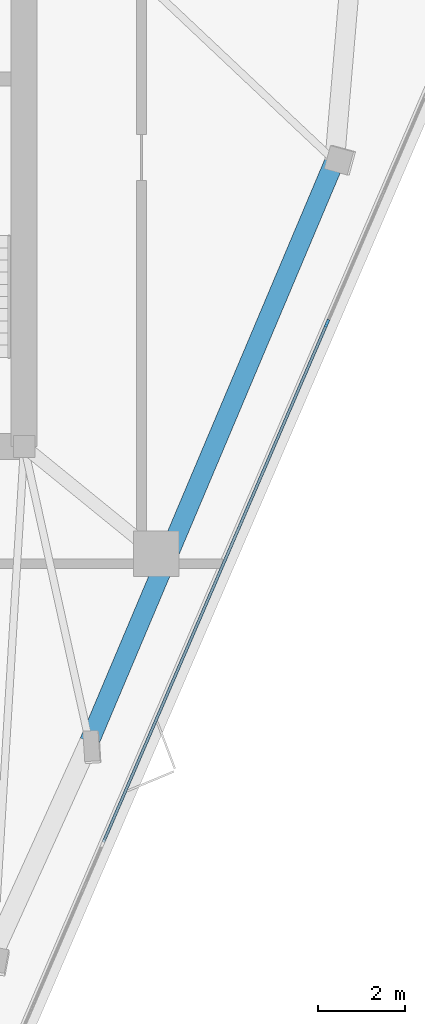
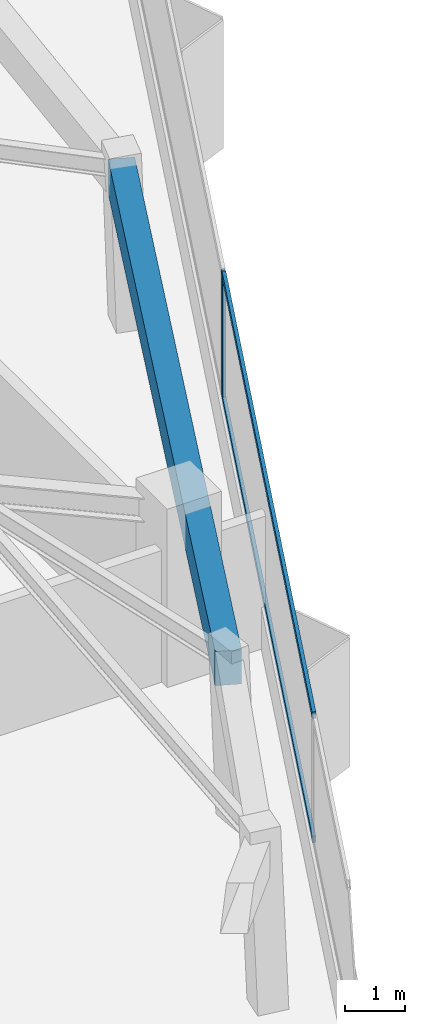
# One storey, part 3 of 9: 3 members, 1 beam, 1 element without a shape of its own.
"""IFC4 building model written with IfcOpenShell, lengths in metres."""

import ifcopenshell
import ifcopenshell.guid

model = None  # the IFC model being written
_history = None  # IfcOwnerHistory: only IFC2X3 demands one
_inside = {}  # id of a spatial element -> (the spatial element, [elements in it])
_under = {}  # id of a project, library or spatial element -> (it, [spatial elements below it])
_declared = {}  # id of a project -> (the project, [libraries it declares])
_typed = {}  # id of a type object -> (the type object, [elements of that type])
_made_of = {}  # id of a material, layer set ... -> (it, [elements and type objects made of it])


def new_model(schema):
    """Start an empty IFC model of exactly this schema.

    Asked for "IFC4X3", IfcOpenShell would pick the latest addendum, in which some entities
    have other attributes; the version numbers below select the first issue.
    IFC2X3 requires an IfcOwnerHistory on every rooted entity: one is made here for all.
    """
    global model, _history
    if schema == "IFC4X3":
        model = ifcopenshell.file(schema_version=(4, 3, 0, 0))
    else:
        model = ifcopenshell.file(schema=schema)
    _inside.clear()
    _under.clear()
    _declared.clear()
    _typed.clear()
    _made_of.clear()
    _history = None
    if model.schema == "IFC2X3":
        org = make("IfcOrganization", Name="unknown")
        user = make(
            "IfcPersonAndOrganization",
            ThePerson=make("IfcPerson", FamilyName="unknown"),
            TheOrganization=org,
        )
        app = make(
            "IfcApplication",
            ApplicationDeveloper=org,
            Version="unknown",
            ApplicationFullName="unknown",
            ApplicationIdentifier="unknown",
        )
        _history = make(
            "IfcOwnerHistory",
            OwningUser=user,
            OwningApplication=app,
            ChangeAction="ADDED",
            CreationDate=0,
        )
    return model


def make(cls, **values):
    """One entity of the class cls with the attributes given. An attribute that is None is left unset."""
    return model.create_entity(
        cls, **{name: value for name, value in values.items() if value is not None}
    )


def rooted(cls, **values):
    """An entity with a GlobalId (a new one), such as an element, a storey or a relation."""
    return make(cls, GlobalId=ifcopenshell.guid.new(), OwnerHistory=_history, **values)


def si_unit(unit_type, name, prefix=None):
    """IfcSIUnit, for example si_unit("LENGTHUNIT", "METRE", prefix="MILLI")."""
    return make("IfcSIUnit", UnitType=unit_type, Prefix=prefix, Name=name)


def assignment(units):
    """IfcUnitAssignment: the units of a project."""
    return None if units is None else make("IfcUnitAssignment", Units=units)


def point(xyz):
    """IfcCartesianPoint."""
    return None if xyz is None else make("IfcCartesianPoint", Coordinates=xyz)


def direction(xyz):
    """IfcDirection."""
    return None if xyz is None else make("IfcDirection", DirectionRatios=xyz)


def frame(location, z_axis=None, x_axis=None):
    """IfcAxis2Placement3D, a coordinate frame: its origin and axes. An axis left out is left unset."""
    return make(
        "IfcAxis2Placement3D",
        Location=point(location),
        Axis=direction(z_axis),
        RefDirection=direction(x_axis),
    )


def frame_2d(location, x_axis=None):
    """IfcAxis2Placement2D, a coordinate frame in the plane: its origin and x axis."""
    return make(
        "IfcAxis2Placement2D", Location=point(location), RefDirection=direction(x_axis)
    )


def origin():
    """The frame at (0, 0, 0) with its axes left unset."""
    return frame((0.0, 0.0, 0.0))


def origin_2d():
    """The frame at (0, 0) in the plane with its x axis left unset."""
    return frame_2d((0.0, 0.0))


def place(relative_to, where):
    """IfcLocalPlacement: puts the frame where relative to a parent placement (None: the world)."""
    return make(
        "IfcLocalPlacement", PlacementRelTo=relative_to, RelativePlacement=where
    )


def context(
    kind, dimensions, precision=None, world=None, true_north=None, identifier=None
):
    """IfcGeometricRepresentationContext, for example the 3D "Model" context."""
    return make(
        "IfcGeometricRepresentationContext",
        ContextIdentifier=identifier,
        ContextType=kind,
        CoordinateSpaceDimension=dimensions,
        Precision=precision,
        WorldCoordinateSystem=world,
        TrueNorth=true_north,
    )


def subcontext(parent, identifier, kind, view, scale=None):
    """IfcGeometricRepresentationSubContext, for example "Body" below "Model"."""
    return make(
        "IfcGeometricRepresentationSubContext",
        ContextIdentifier=identifier,
        ContextType=kind,
        ParentContext=parent,
        TargetScale=scale,
        TargetView=view,
    )


def project(units=None, contexts=None):
    """IfcProject with its units and contexts."""
    return rooted(
        "IfcProject",
        Name="project",
        RepresentationContexts=contexts,
        UnitsInContext=assignment(units),
    )


def spatial(cls, under=None, at=None, **own):
    """A site, building, storey or space (cls), placed at a placement, below another one or the project."""
    s = rooted(cls, ObjectPlacement=at, **own)
    if under is not None:
        _under.setdefault(under.id(), (under, []))[1].append(s)
    return s


def profile(cls, at=None, kind="AREA", **sizes):
    """A parametric profile (cls). Its sizes go by their IFC names, for example OverallWidth=200.0."""
    return make(cls, ProfileType=kind, Position=at, **sizes)


def rectangle(**sizes):
    """IfcRectangleProfileDef."""
    return profile("IfcRectangleProfileDef", **sizes)


def extrude(swept, where, along, depth):
    """IfcExtrudedAreaSolid: the profile swept, set in the frame where, extruded along a direction by depth."""
    return make(
        "IfcExtrudedAreaSolid",
        SweptArea=swept,
        Position=where,
        ExtrudedDirection=direction(along),
        Depth=depth,
    )


def shape(context_of_items, identifier, shape_type, items):
    """IfcShapeRepresentation: the items that make up one representation, for example the "Body"."""
    return make(
        "IfcShapeRepresentation",
        ContextOfItems=context_of_items,
        RepresentationIdentifier=identifier,
        RepresentationType=shape_type,
        Items=items,
    )


def material(Name=None, Category=None):
    """IfcMaterial."""
    return make("IfcMaterial", Name=Name, Category=Category)


def layer(
    of_material, thickness, ventilated=None, Name=None, Category=None, Priority=None
):
    """IfcMaterialLayer: one layer of a wall or slab, of a material (None: an air gap)."""
    return make(
        "IfcMaterialLayer",
        Material=of_material,
        LayerThickness=thickness,
        IsVentilated=ventilated,
        Name=Name,
        Category=Category,
        Priority=Priority,
    )


def layer_set(layers, Name=None):
    """IfcMaterialLayerSet."""
    return make("IfcMaterialLayerSet", MaterialLayers=layers, LayerSetName=Name)


def material_profile(
    of_material, cross_section, Name=None, Category=None, Priority=None
):
    """IfcMaterialProfile: a cross section and its material."""
    return make(
        "IfcMaterialProfile",
        Name=Name,
        Material=of_material,
        Profile=cross_section,
        Priority=Priority,
        Category=Category,
    )


def profile_set(profiles, Name=None, composite=None):
    """IfcMaterialProfileSet."""
    return make(
        "IfcMaterialProfileSet",
        Name=Name,
        MaterialProfiles=profiles,
        CompositeProfile=composite,
    )


def made_of(thing, what):
    """Note that an element or type object is made of a material, layer set ...; save() writes the relation."""
    if what is not None:
        _made_of.setdefault(what.id(), (what, []))[1].append(thing)
    return thing


def type_object(cls, material=None, **own):
    """A type object (cls), such as IfcWallType, which elements share."""
    return made_of(rooted(cls, **own), material)


def element(
    cls,
    number,
    at=None,
    inside=None,
    cuts=None,
    type_object=None,
    material=None,
    context=None,
    identifier="Body",
    shape_type=None,
    held_by="IfcProductDefinitionShape",
    body=None,
    shapes=None,
    **own,
):
    """One element of the class cls, such as IfcWall. Its Tag is "e" and its number.

    at: its placement. inside: the storey or other place that contains it. cuts: it is an
    opening in that element (IfcRelVoidsElement). A single representation is given by context,
    identifier, shape_type and body (its items); several are given by shapes. held_by: the class
    of the entity that holds the representations. save() writes the other relations.
    """
    e = rooted(cls, Tag="e%d" % number, ObjectPlacement=at, **own)
    if body is not None:
        shapes = [shape(context, identifier, shape_type, body)]
    if shapes is not None:
        e.Representation = make(held_by, Representations=shapes)
    if inside is not None:
        _inside.setdefault(inside.id(), (inside, []))[1].append(e)
    if cuts is not None:
        rooted(
            "IfcRelVoidsElement", RelatingBuildingElement=cuts, RelatedOpeningElement=e
        )
    if type_object is not None:
        _typed.setdefault(type_object.id(), (type_object, []))[1].append(e)
    return made_of(e, material)


def aggregate(whole, parts):
    """IfcRelAggregates: a whole, such as a stair, and the parts it consists of."""
    return rooted("IfcRelAggregates", RelatingObject=whole, RelatedObjects=parts)


def save(model, path):
    """Write the relations noted so far, then the file.

    IfcRelAggregates (storeys below a building ...), IfcRelContainedInSpatialStructure (elements
    in a storey), IfcRelDefinesByType, IfcRelAssociatesMaterial and IfcRelDeclares: one each for
    every whole, place, type object, material and project.
    """
    for whole, parts in _under.values():
        aggregate(whole, parts)
    for where, things in _inside.values():
        rooted(
            "IfcRelContainedInSpatialStructure",
            RelatedElements=things,
            RelatingStructure=where,
        )
    for kind, things in _typed.values():
        rooted("IfcRelDefinesByType", RelatedObjects=things, RelatingType=kind)
    for what, things in _made_of.values():
        rooted("IfcRelAssociatesMaterial", RelatedObjects=things, RelatingMaterial=what)
    for by, libraries in _declared.values():
        rooted("IfcRelDeclares", RelatingContext=by, RelatedDefinitions=libraries)
    model.write(path)


model = new_model("IFC4")

# Units and contexts
model_context = context("Model", 3, precision=1e-05, world=origin(), true_north=direction((0.0, 1.0)))
body_context = subcontext(model_context, "Body", "Model", "MODEL_VIEW")
ifc_project = project(units=[si_unit("LENGTHUNIT", "METRE"), si_unit("AREAUNIT", "SQUARE_METRE"), si_unit("VOLUMEUNIT", "CUBIC_METRE"), si_unit("PLANEANGLEUNIT", "RADIAN"), si_unit("MASSUNIT", "GRAM", prefix="KILO")], contexts=[model_context])

# Site, building, storey
site_placement = place(None, origin())
site = spatial("IfcSite", under=ifc_project, at=site_placement, CompositionType="ELEMENT")
building_placement = place(site_placement, origin())
building = spatial("IfcBuilding", under=site, at=building_placement, Name="Talyreon Biosciences Tower", CompositionType="ELEMENT")
storey_placement = place(building_placement, frame((0.0, 0.0, 309.35009765625)))
storey = spatial("IfcBuildingStorey", under=building, at=storey_placement, Name="L82", CompositionType="ELEMENT", Elevation=309.35009765625)

# Curtain wall, members
ifc_material_1 = material(Name="Thermally broken aluminium and low-E glazing", Category="aluminium")
ifc_layer = layer(ifc_material_1, 0.175048828125)
ifc_layer_set = layer_set([ifc_layer], Name="Thermally broken aluminium and low-E glazing")
curtain_wall_type = type_object("IfcCurtainWallType", Name="CurtainWall_Zone5CompLab", PredefinedType="NOTDEFINED", material=ifc_layer_set)
curtain_wall_placement = place(storey_placement, origin())
curtain_wall = element("IfcCurtainWall", 1, at=curtain_wall_placement, inside=storey, type_object=curtain_wall_type, Name="L82 Unitised Curtain Wall FCW-L82-08", PredefinedType="NOTDEFINED")
ifc_material_2 = material(Name="Anodised thermally broken aluminium", Category="aluminium")
ifc_material_profile_1 = material_profile(ifc_material_2, rectangle(XDim=0.06494140625, YDim=0.179931640625, at=origin_2d()), Name="ALUM MULLION 65x180")
ifc_profile_set_1 = profile_set([ifc_material_profile_1], Name="Anodised thermally broken aluminium")
member_type_1 = type_object("IfcMemberType", Name="CWMullion_65x180", PredefinedType="MULLION", material=ifc_profile_set_1)
member_1_placement = place(storey_placement, frame((81.02001953125, 64.185302734375, 0.809814453125), z_axis=(0.0, 0.0, 1.0), x_axis=(0.918363311246, -0.395738333444, 0.0)))
member_1 = element("IfcMember", 2, at=member_1_placement, type_object=member_type_1, Name="CW6 mullion 2", PredefinedType="MULLION", context=body_context, shape_type="SweptSolid", body=[
    extrude(rectangle(XDim=0.06494140625, YDim=0.179931640625, at=origin_2d()), origin(), (0.0, 0.0, 1.0), 2.60498046875),
])
ifc_material_profile_2 = material_profile(ifc_material_2, rectangle(XDim=0.06494140625, YDim=0.139892578125, at=origin_2d()), Name="ALUM TRANSOM 65x140")
ifc_profile_set_2 = profile_set([ifc_material_profile_2], Name="Anodised thermally broken aluminium")
member_type_2 = type_object("IfcMemberType", Name="CWTransom_65x140", PredefinedType="USERDEFINED", material=ifc_profile_set_2)
member_2_placement = place(storey_placement, frame((81.007080078125, 64.1552734375, 0.84228515625), z_axis=(-0.395742593834, -0.91836147536, 0.0), x_axis=(0.91836147536, -0.395742593834, 0.0)))
member_2 = element("IfcMember", 3, at=member_2_placement, type_object=member_type_2, Name="CW6 transom 2.1", ObjectType="TRANSOM", PredefinedType="USERDEFINED", context=body_context, shape_type="SweptSolid", body=[
    extrude(rectangle(XDim=0.06494140625, YDim=0.139892578125, at=origin_2d()), origin(), (0.0, 0.0, 1.0), 12.97119140625),
])
member_3_placement = place(storey_placement, frame((81.007080078125, 64.1552734375, 3.38232421875), z_axis=(-0.395742593834, -0.91836147536, 0.0), x_axis=(0.91836147536, -0.395742593834, 0.0)))
member_3 = element("IfcMember", 4, at=member_3_placement, type_object=member_type_2, Name="CW6 transom 2.2", ObjectType="TRANSOM", PredefinedType="USERDEFINED", context=body_context, shape_type="SweptSolid", body=[
    extrude(rectangle(XDim=0.06494140625, YDim=0.139892578125, at=origin_2d()), origin(), (0.0, 0.0, 1.0), 12.97119140625),
])
aggregate(curtain_wall, [member_1, member_2, member_3])

# Beam
ifc_material_3 = material(Name="Precast concrete C45/55", Category="concrete")
ifc_material_profile_3 = material_profile(ifc_material_3, rectangle(XDim=0.449951171875, YDim=0.699951171875, at=origin_2d()), Name="RCB 450x700")
ifc_profile_set_3 = profile_set([ifc_material_profile_3], Name="Precast concrete C45/55")
beam_type = type_object("IfcBeamType", Name="ExpressedSpandrel_450x700", PredefinedType="SPANDREL", material=ifc_profile_set_3)
beam_placement = place(storey_placement, frame((75.5498046875, 54.55322265625, 3.06494140625), z_axis=(0.389099279979, 0.921195826261, 0.0), x_axis=(-0.921195826261, 0.389099279979, 0.0)))
element("IfcBeam", 5, at=beam_placement, inside=storey, type_object=beam_type, Name="L82 Expressed Horizontal Concrete Spandrel 03", PredefinedType="SPANDREL", context=body_context, shape_type="SweptSolid", body=[
    extrude(rectangle(XDim=0.449951171875, YDim=0.699951171875, at=origin_2d()), origin(), (0.0, 0.0, 1.0), 14.510498046875),
])

save(model, "model.ifc")
